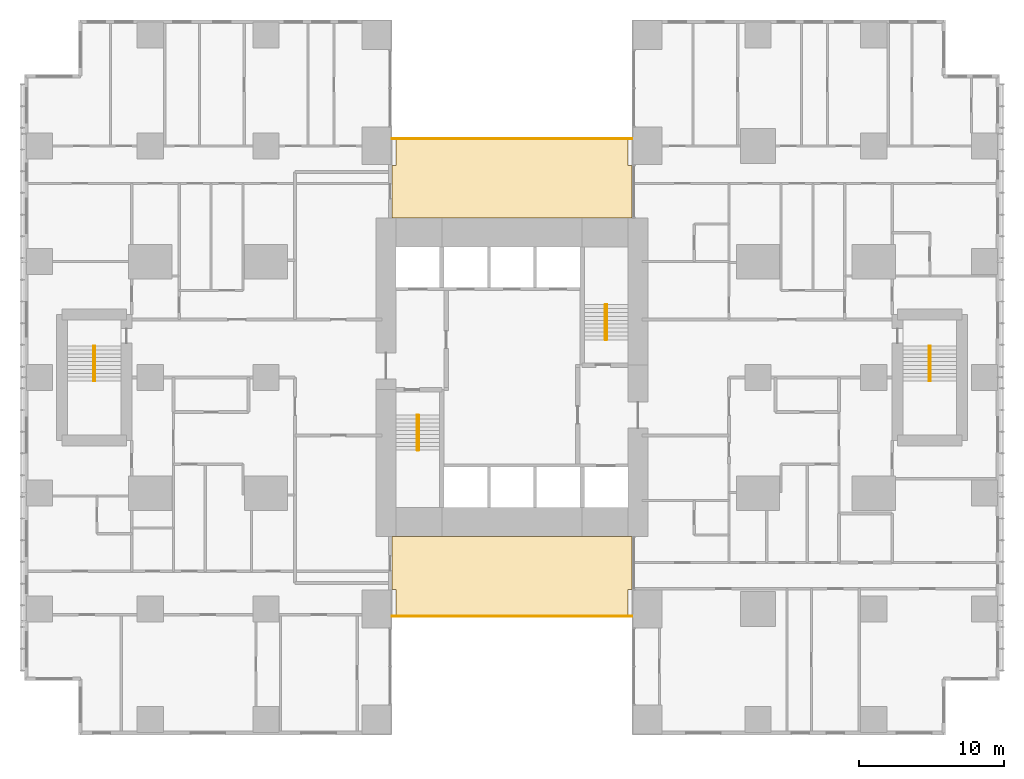
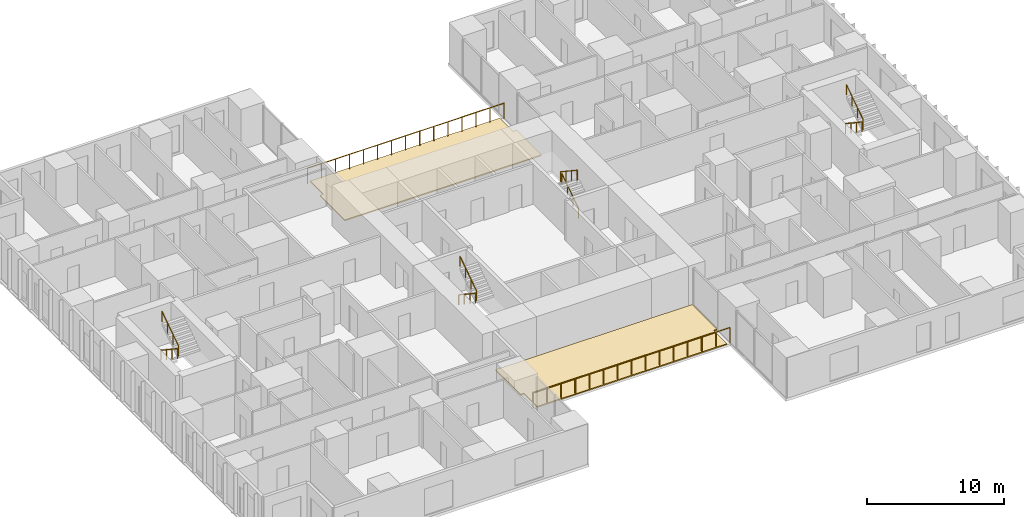
# One storey, part 20 of 20: 10 railings, 2 coverings.
"""IFC4 building model written with IfcOpenShell, lengths in metres."""

import ifcopenshell
import ifcopenshell.guid

model = None  # the IFC model being written
_history = None  # IfcOwnerHistory: only IFC2X3 demands one
_inside = {}  # id of a spatial element -> (the spatial element, [elements in it])
_under = {}  # id of a project, library or spatial element -> (it, [spatial elements below it])
_declared = {}  # id of a project -> (the project, [libraries it declares])
_typed = {}  # id of a type object -> (the type object, [elements of that type])
_made_of = {}  # id of a material, layer set ... -> (it, [elements and type objects made of it])


def new_model(schema):
    """Start an empty IFC model of exactly this schema.

    Asked for "IFC4X3", IfcOpenShell would pick the latest addendum, in which some entities
    have other attributes; the version numbers below select the first issue.
    IFC2X3 requires an IfcOwnerHistory on every rooted entity: one is made here for all.
    """
    global model, _history
    if schema == "IFC4X3":
        model = ifcopenshell.file(schema_version=(4, 3, 0, 0))
    else:
        model = ifcopenshell.file(schema=schema)
    _inside.clear()
    _under.clear()
    _declared.clear()
    _typed.clear()
    _made_of.clear()
    _history = None
    if model.schema == "IFC2X3":
        org = make("IfcOrganization", Name="unknown")
        user = make(
            "IfcPersonAndOrganization",
            ThePerson=make("IfcPerson", FamilyName="unknown"),
            TheOrganization=org,
        )
        app = make(
            "IfcApplication",
            ApplicationDeveloper=org,
            Version="unknown",
            ApplicationFullName="unknown",
            ApplicationIdentifier="unknown",
        )
        _history = make(
            "IfcOwnerHistory",
            OwningUser=user,
            OwningApplication=app,
            ChangeAction="ADDED",
            CreationDate=0,
        )
    return model


def make(cls, **values):
    """One entity of the class cls with the attributes given. An attribute that is None is left unset."""
    return model.create_entity(
        cls, **{name: value for name, value in values.items() if value is not None}
    )


def rooted(cls, **values):
    """An entity with a GlobalId (a new one), such as an element, a storey or a relation."""
    return make(cls, GlobalId=ifcopenshell.guid.new(), OwnerHistory=_history, **values)


def si_unit(unit_type, name, prefix=None):
    """IfcSIUnit, for example si_unit("LENGTHUNIT", "METRE", prefix="MILLI")."""
    return make("IfcSIUnit", UnitType=unit_type, Prefix=prefix, Name=name)


def assignment(units):
    """IfcUnitAssignment: the units of a project."""
    return None if units is None else make("IfcUnitAssignment", Units=units)


def point(xyz):
    """IfcCartesianPoint."""
    return None if xyz is None else make("IfcCartesianPoint", Coordinates=xyz)


def direction(xyz):
    """IfcDirection."""
    return None if xyz is None else make("IfcDirection", DirectionRatios=xyz)


def frame(location, z_axis=None, x_axis=None):
    """IfcAxis2Placement3D, a coordinate frame: its origin and axes. An axis left out is left unset."""
    return make(
        "IfcAxis2Placement3D",
        Location=point(location),
        Axis=direction(z_axis),
        RefDirection=direction(x_axis),
    )


def frame_2d(location, x_axis=None):
    """IfcAxis2Placement2D, a coordinate frame in the plane: its origin and x axis."""
    return make(
        "IfcAxis2Placement2D", Location=point(location), RefDirection=direction(x_axis)
    )


def origin():
    """The frame at (0, 0, 0) with its axes left unset."""
    return frame((0.0, 0.0, 0.0))


def origin_2d():
    """The frame at (0, 0) in the plane with its x axis left unset."""
    return frame_2d((0.0, 0.0))


def place(relative_to, where):
    """IfcLocalPlacement: puts the frame where relative to a parent placement (None: the world)."""
    return make(
        "IfcLocalPlacement", PlacementRelTo=relative_to, RelativePlacement=where
    )


def context(
    kind, dimensions, precision=None, world=None, true_north=None, identifier=None
):
    """IfcGeometricRepresentationContext, for example the 3D "Model" context."""
    return make(
        "IfcGeometricRepresentationContext",
        ContextIdentifier=identifier,
        ContextType=kind,
        CoordinateSpaceDimension=dimensions,
        Precision=precision,
        WorldCoordinateSystem=world,
        TrueNorth=true_north,
    )


def subcontext(parent, identifier, kind, view, scale=None):
    """IfcGeometricRepresentationSubContext, for example "Body" below "Model"."""
    return make(
        "IfcGeometricRepresentationSubContext",
        ContextIdentifier=identifier,
        ContextType=kind,
        ParentContext=parent,
        TargetScale=scale,
        TargetView=view,
    )


def project(units=None, contexts=None):
    """IfcProject with its units and contexts."""
    return rooted(
        "IfcProject",
        Name="project",
        RepresentationContexts=contexts,
        UnitsInContext=assignment(units),
    )


def spatial(cls, under=None, at=None, **own):
    """A site, building, storey or space (cls), placed at a placement, below another one or the project."""
    s = rooted(cls, ObjectPlacement=at, **own)
    if under is not None:
        _under.setdefault(under.id(), (under, []))[1].append(s)
    return s


def polyline(points):
    """IfcPolyline through the points."""
    return make("IfcPolyline", Points=[point(p) for p in points])


def profile(cls, at=None, kind="AREA", **sizes):
    """A parametric profile (cls). Its sizes go by their IFC names, for example OverallWidth=200.0."""
    return make(cls, ProfileType=kind, Position=at, **sizes)


def circle(**sizes):
    """IfcCircleProfileDef."""
    return profile("IfcCircleProfileDef", **sizes)


def outline(outer, holes=None, kind="AREA"):
    """IfcArbitraryClosedProfileDef: a profile drawn as a closed curve; with holes, ...WithVoids."""
    if holes is None:
        return make("IfcArbitraryClosedProfileDef", ProfileType=kind, OuterCurve=outer)
    return make(
        "IfcArbitraryProfileDefWithVoids",
        ProfileType=kind,
        OuterCurve=outer,
        InnerCurves=holes,
    )


def extrude(swept, where, along, depth):
    """IfcExtrudedAreaSolid: the profile swept, set in the frame where, extruded along a direction by depth."""
    return make(
        "IfcExtrudedAreaSolid",
        SweptArea=swept,
        Position=where,
        ExtrudedDirection=direction(along),
        Depth=depth,
    )


def shape(context_of_items, identifier, shape_type, items):
    """IfcShapeRepresentation: the items that make up one representation, for example the "Body"."""
    return make(
        "IfcShapeRepresentation",
        ContextOfItems=context_of_items,
        RepresentationIdentifier=identifier,
        RepresentationType=shape_type,
        Items=items,
    )


def material(Name=None, Category=None):
    """IfcMaterial."""
    return make("IfcMaterial", Name=Name, Category=Category)


def layer(
    of_material, thickness, ventilated=None, Name=None, Category=None, Priority=None
):
    """IfcMaterialLayer: one layer of a wall or slab, of a material (None: an air gap)."""
    return make(
        "IfcMaterialLayer",
        Material=of_material,
        LayerThickness=thickness,
        IsVentilated=ventilated,
        Name=Name,
        Category=Category,
        Priority=Priority,
    )


def layer_set(layers, Name=None):
    """IfcMaterialLayerSet."""
    return make("IfcMaterialLayerSet", MaterialLayers=layers, LayerSetName=Name)


def made_of(thing, what):
    """Note that an element or type object is made of a material, layer set ...; save() writes the relation."""
    if what is not None:
        _made_of.setdefault(what.id(), (what, []))[1].append(thing)
    return thing


def type_object(cls, material=None, **own):
    """A type object (cls), such as IfcWallType, which elements share."""
    return made_of(rooted(cls, **own), material)


def element(
    cls,
    number,
    at=None,
    inside=None,
    cuts=None,
    type_object=None,
    material=None,
    context=None,
    identifier="Body",
    shape_type=None,
    held_by="IfcProductDefinitionShape",
    body=None,
    shapes=None,
    **own,
):
    """One element of the class cls, such as IfcWall. Its Tag is "e" and its number.

    at: its placement. inside: the storey or other place that contains it. cuts: it is an
    opening in that element (IfcRelVoidsElement). A single representation is given by context,
    identifier, shape_type and body (its items); several are given by shapes. held_by: the class
    of the entity that holds the representations. save() writes the other relations.
    """
    e = rooted(cls, Tag="e%d" % number, ObjectPlacement=at, **own)
    if body is not None:
        shapes = [shape(context, identifier, shape_type, body)]
    if shapes is not None:
        e.Representation = make(held_by, Representations=shapes)
    if inside is not None:
        _inside.setdefault(inside.id(), (inside, []))[1].append(e)
    if cuts is not None:
        rooted(
            "IfcRelVoidsElement", RelatingBuildingElement=cuts, RelatedOpeningElement=e
        )
    if type_object is not None:
        _typed.setdefault(type_object.id(), (type_object, []))[1].append(e)
    return made_of(e, material)


def aggregate(whole, parts):
    """IfcRelAggregates: a whole, such as a stair, and the parts it consists of."""
    return rooted("IfcRelAggregates", RelatingObject=whole, RelatedObjects=parts)


def save(model, path):
    """Write the relations noted so far, then the file.

    IfcRelAggregates (storeys below a building ...), IfcRelContainedInSpatialStructure (elements
    in a storey), IfcRelDefinesByType, IfcRelAssociatesMaterial and IfcRelDeclares: one each for
    every whole, place, type object, material and project.
    """
    for whole, parts in _under.values():
        aggregate(whole, parts)
    for where, things in _inside.values():
        rooted(
            "IfcRelContainedInSpatialStructure",
            RelatedElements=things,
            RelatingStructure=where,
        )
    for kind, things in _typed.values():
        rooted("IfcRelDefinesByType", RelatedObjects=things, RelatingType=kind)
    for what, things in _made_of.values():
        rooted("IfcRelAssociatesMaterial", RelatedObjects=things, RelatingMaterial=what)
    for by, libraries in _declared.values():
        rooted("IfcRelDeclares", RelatingContext=by, RelatedDefinitions=libraries)
    model.write(path)


model = new_model("IFC4")

# Units and contexts
model_context = context("Model", 3, precision=1e-05, world=origin(), true_north=direction((0.0, 1.0)))
body_context = subcontext(model_context, "Body", "Model", "MODEL_VIEW")
ifc_project = project(units=[si_unit("LENGTHUNIT", "METRE"), si_unit("AREAUNIT", "SQUARE_METRE"), si_unit("VOLUMEUNIT", "CUBIC_METRE"), si_unit("PLANEANGLEUNIT", "RADIAN"), si_unit("MASSUNIT", "GRAM", prefix="KILO")], contexts=[model_context])

# Site, building, storey
site_placement = place(None, origin())
site = spatial("IfcSite", under=ifc_project, at=site_placement, CompositionType="ELEMENT")
building_placement = place(site_placement, origin())
building = spatial("IfcBuilding", under=site, at=building_placement, Name="Cleftline Residences", CompositionType="ELEMENT")
storey_placement = place(building_placement, frame((0.0, 0.0, 182.199951171875)))
storey = spatial("IfcBuildingStorey", under=building, at=storey_placement, Name="L47", CompositionType="ELEMENT", Elevation=182.199951171875)

# Coverings
ifc_material_1 = material(Name="Bituminous membrane on rigid insulation")
ifc_layer = layer(ifc_material_1, 0.10009765625)
ifc_layer_set = layer_set([ifc_layer], Name="BRIDGE ROOF MEMBRANE AND INSULATION 100")
covering_type = type_object("IfcCoveringType", Name="BRIDGE ROOF MEMBRANE AND INSULATION 100", PredefinedType="ROOFING", material=ifc_layer_set)
covering_1_placement = place(storey_placement, origin())
element("IfcCovering", 1, at=covering_1_placement, inside=storey, type_object=covering_type, Name="Sky bridge roof membrane L46 N", PredefinedType="ROOFING", context=body_context, shape_type="SweptSolid", body=[
    extrude(outline(polyline([(25.0, 40.60009765625), (25.0, 38.64990234375), (24.705078125, 38.64990234375), (24.705078125, 35.0048828125), (24.9951171875, 35.0048828125), (25.0048828125, 35.0048828125), (28.14501953125, 35.0048828125), (28.155029296875, 35.0048828125), (37.844970703125, 35.0048828125), (37.85498046875, 35.0048828125), (40.9951171875, 35.0048828125), (41.0048828125, 35.0048828125), (41.300048828125, 35.0048828125), (41.300048828125, 38.64990234375), (41.0, 38.64990234375), (41.0, 40.60009765625), (25.0, 40.60009765625)])), origin(), (0.0, 0.0, 1.0), 0.10009765625),
])
covering_2_placement = place(storey_placement, origin())
element("IfcCovering", 2, at=covering_2_placement, inside=storey, type_object=covering_type, Name="Sky bridge roof membrane L46 S", PredefinedType="ROOFING", context=body_context, shape_type="SweptSolid", body=[
    extrude(outline(polyline([(41.0, 7.39990234375), (41.0, 9.35009765625), (41.300048828125, 9.35009765625), (41.300048828125, 12.9951171875), (41.0048828125, 12.9951171875), (40.9951171875, 12.9951171875), (37.85498046875, 12.9951171875), (37.844970703125, 12.9951171875), (28.155029296875, 12.9951171875), (28.14501953125, 12.9951171875), (25.0048828125, 12.9951171875), (24.9951171875, 12.9951171875), (24.705078125, 12.9951171875), (24.705078125, 9.35009765625), (25.0, 9.35009765625), (25.0, 7.39990234375), (41.0, 7.39990234375)])), origin(), (0.0, 0.0, 1.0), 0.10009765625),
])

# Railings
ifc_material_2 = material(Name="Stainless steel", Category="steel")
railing_type_1 = type_object("IfcRailingType", Name="HANDRAIL 900", PredefinedType="HANDRAIL", material=ifc_material_2)
railing_1_placement = place(storey_placement, frame((26.449951171875, 21.39990234375, 0.179931640625)))
element("IfcRailing", 3, at=railing_1_placement, inside=storey, type_object=railing_type_1, Name="Stair handrail", PredefinedType="HANDRAIL", context=body_context, shape_type="SweptSolid", body=[
    extrude(circle(Radius=0.02392578125, at=origin_2d()), frame((0.0, 0.0, 0.8759765625), z_axis=(0.0, -0.832024571796, 0.554738778101), x_axis=(1.0, 0.0, 0.0)), (0.0, 0.0, 1.0), 2.92041015625),
    extrude(circle(Radius=0.02099609375, at=origin_2d()), origin(), (0.0, 0.0, 1.0), 0.851806640625),
    extrude(circle(Radius=0.02099609375, at=origin_2d()), frame((0.0, -0.81005859375, 0.5400390625)), (0.0, 0.0, 1.0), 0.851806640625),
    extrude(circle(Radius=0.02099609375, at=origin_2d()), frame((0.0, -1.619873046875, 1.080078125)), (0.0, 0.0, 1.0), 0.851806640625),
    extrude(circle(Radius=0.02099609375, at=origin_2d()), frame((0.0, -2.429931640625, 1.6201171875)), (0.0, 0.0, 1.0), 0.851806640625),
])
for number, where, name in (
    (4, (26.550048828125, 18.969970703125, 1.97998046875), "Stair handrail"),
    (5, (39.550048828125, 26.60009765625, 0.179931640625), "Stair handrail"),
):
    element("IfcRailing", number, at=place(storey_placement, frame(where)), inside=storey, type_object=railing_type_1, Name=name, PredefinedType="HANDRAIL", context=body_context, shape_type="SweptSolid", body=[
        extrude(circle(Radius=0.02392578125, at=origin_2d()), frame((0.0, 0.0, 0.8759765625), z_axis=(0.0, 0.832024571796, 0.554738778101), x_axis=(-1.0, 0.0, 0.0)), (0.0, 0.0, 1.0), 2.92041015625),
        extrude(circle(Radius=0.02099609375, at=origin_2d()), origin(), (0.0, 0.0, 1.0), 0.851806640625),
        extrude(circle(Radius=0.02099609375, at=origin_2d()), frame((0.0, 0.81005859375, 0.5400390625)), (0.0, 0.0, 1.0), 0.851806640625),
        extrude(circle(Radius=0.02099609375, at=origin_2d()), frame((0.0, 1.619873046875, 1.080078125)), (0.0, 0.0, 1.0), 0.851806640625),
        extrude(circle(Radius=0.02099609375, at=origin_2d()), frame((0.0, 2.429931640625, 1.6201171875)), (0.0, 0.0, 1.0), 0.851806640625),
    ])
for number, where, name in (
    (6, (39.449951171875, 29.030029296875, 1.97998046875), "Stair handrail"),
    (7, (61.824951171875, 26.175048828125, 0.179931640625), "Stair handrail"),
):
    element("IfcRailing", number, at=place(storey_placement, frame(where)), inside=storey, type_object=railing_type_1, Name=name, PredefinedType="HANDRAIL", context=body_context, shape_type="SweptSolid", body=[
        extrude(circle(Radius=0.02392578125, at=origin_2d()), frame((0.0, 0.0, 0.8759765625), z_axis=(0.0, -0.832024571796, 0.554738778101), x_axis=(1.0, 0.0, 0.0)), (0.0, 0.0, 1.0), 2.92041015625),
        extrude(circle(Radius=0.02099609375, at=origin_2d()), origin(), (0.0, 0.0, 1.0), 0.851806640625),
        extrude(circle(Radius=0.02099609375, at=origin_2d()), frame((0.0, -0.81005859375, 0.5400390625)), (0.0, 0.0, 1.0), 0.851806640625),
        extrude(circle(Radius=0.02099609375, at=origin_2d()), frame((0.0, -1.619873046875, 1.080078125)), (0.0, 0.0, 1.0), 0.851806640625),
        extrude(circle(Radius=0.02099609375, at=origin_2d()), frame((0.0, -2.429931640625, 1.6201171875)), (0.0, 0.0, 1.0), 0.851806640625),
    ])
railing_2_placement = place(storey_placement, frame((61.925048828125, 23.7451171875, 1.97998046875)))
element("IfcRailing", 8, at=railing_2_placement, inside=storey, type_object=railing_type_1, Name="Stair handrail", PredefinedType="HANDRAIL", context=body_context, shape_type="SweptSolid", body=[
    extrude(circle(Radius=0.02392578125, at=origin_2d()), frame((0.0, 0.0, 0.8759765625), z_axis=(0.0, 0.832024571796, 0.554738778101), x_axis=(-1.0, 0.0, 0.0)), (0.0, 0.0, 1.0), 2.92041015625),
    extrude(circle(Radius=0.02099609375, at=origin_2d()), origin(), (0.0, 0.0, 1.0), 0.851806640625),
    extrude(circle(Radius=0.02099609375, at=origin_2d()), frame((0.0, 0.81005859375, 0.5400390625)), (0.0, 0.0, 1.0), 0.851806640625),
    extrude(circle(Radius=0.02099609375, at=origin_2d()), frame((0.0, 1.619873046875, 1.080078125)), (0.0, 0.0, 1.0), 0.851806640625),
    extrude(circle(Radius=0.02099609375, at=origin_2d()), frame((0.0, 2.429931640625, 1.6201171875)), (0.0, 0.0, 1.0), 0.851806640625),
])
railing_3_placement = place(storey_placement, frame((4.074951171875, 26.175048828125, 0.179931640625)))
element("IfcRailing", 9, at=railing_3_placement, inside=storey, type_object=railing_type_1, Name="Stair handrail", PredefinedType="HANDRAIL", context=body_context, shape_type="SweptSolid", body=[
    extrude(circle(Radius=0.02392578125, at=origin_2d()), frame((0.0, 0.0, 0.8759765625), z_axis=(0.0, -0.832024571796, 0.554738778101), x_axis=(1.0, 0.0, 0.0)), (0.0, 0.0, 1.0), 2.92041015625),
    extrude(circle(Radius=0.02099609375, at=origin_2d()), origin(), (0.0, 0.0, 1.0), 0.851806640625),
    extrude(circle(Radius=0.02099609375, at=origin_2d()), frame((0.0, -0.81005859375, 0.5400390625)), (0.0, 0.0, 1.0), 0.851806640625),
    extrude(circle(Radius=0.02099609375, at=origin_2d()), frame((0.0, -1.619873046875, 1.080078125)), (0.0, 0.0, 1.0), 0.851806640625),
    extrude(circle(Radius=0.02099609375, at=origin_2d()), frame((0.0, -2.429931640625, 1.6201171875)), (0.0, 0.0, 1.0), 0.851806640625),
])
railing_4_placement = place(storey_placement, frame((4.175048828125, 23.7451171875, 1.97998046875)))
element("IfcRailing", 10, at=railing_4_placement, inside=storey, type_object=railing_type_1, Name="Stair handrail", PredefinedType="HANDRAIL", context=body_context, shape_type="SweptSolid", body=[
    extrude(circle(Radius=0.02392578125, at=origin_2d()), frame((0.0, 0.0, 0.8759765625), z_axis=(0.0, 0.832024571796, 0.554738778101), x_axis=(-1.0, 0.0, 0.0)), (0.0, 0.0, 1.0), 2.92041015625),
    extrude(circle(Radius=0.02099609375, at=origin_2d()), origin(), (0.0, 0.0, 1.0), 0.851806640625),
    extrude(circle(Radius=0.02099609375, at=origin_2d()), frame((0.0, 0.81005859375, 0.5400390625)), (0.0, 0.0, 1.0), 0.851806640625),
    extrude(circle(Radius=0.02099609375, at=origin_2d()), frame((0.0, 1.619873046875, 1.080078125)), (0.0, 0.0, 1.0), 0.851806640625),
    extrude(circle(Radius=0.02099609375, at=origin_2d()), frame((0.0, 2.429931640625, 1.6201171875)), (0.0, 0.0, 1.0), 0.851806640625),
])
ifc_material_3 = material(Name="Galvanised steel", Category="steel")
railing_type_2 = type_object("IfcRailingType", Name="ROOF EDGE GUARD 1400", PredefinedType="GUARDRAIL", material=ifc_material_3)
railing_5_placement = place(storey_placement, frame((24.699951171875, 40.5, 0.0)))
element("IfcRailing", 11, at=railing_5_placement, inside=storey, type_object=railing_type_2, Name="Roof edge guard", PredefinedType="GUARDRAIL", context=body_context, shape_type="SweptSolid", body=[
    extrude(circle(Radius=0.02392578125, at=origin_2d()), frame((0.0, 0.0, 1.3759765625), z_axis=(1.0, 0.0, 0.0), x_axis=(0.0, 1.0, 0.0)), (0.0, 0.0, 1.0), 16.60009765625),
    extrude(circle(Radius=0.02099609375, at=origin_2d()), origin(), (0.0, 0.0, 1.0), 1.351806640625),
    extrude(circle(Radius=0.02099609375, at=origin_2d()), frame((1.185791015625, 0.0, 0.0)), (0.0, 0.0, 1.0), 1.351806640625),
    extrude(circle(Radius=0.02099609375, at=origin_2d()), frame((2.371337890625, 0.0, 0.0)), (0.0, 0.0, 1.0), 1.351806640625),
    extrude(circle(Radius=0.02099609375, at=origin_2d()), frame((3.55712890625, 0.0, 0.0)), (0.0, 0.0, 1.0), 1.351806640625),
    extrude(circle(Radius=0.02099609375, at=origin_2d()), frame((4.742919921875, 0.0, 0.0)), (0.0, 0.0, 1.0), 1.351806640625),
    extrude(circle(Radius=0.02099609375, at=origin_2d()), frame((5.9287109375, 0.0, 0.0)), (0.0, 0.0, 1.0), 1.351806640625),
    extrude(circle(Radius=0.02099609375, at=origin_2d()), frame((7.1142578125, 0.0, 0.0)), (0.0, 0.0, 1.0), 1.351806640625),
    extrude(circle(Radius=0.02099609375, at=origin_2d()), frame((8.300048828125, 0.0, 0.0)), (0.0, 0.0, 1.0), 1.351806640625),
    extrude(circle(Radius=0.02099609375, at=origin_2d()), frame((9.48583984375, 0.0, 0.0)), (0.0, 0.0, 1.0), 1.351806640625),
    extrude(circle(Radius=0.02099609375, at=origin_2d()), frame((10.67138671875, 0.0, 0.0)), (0.0, 0.0, 1.0), 1.351806640625),
    extrude(circle(Radius=0.02099609375, at=origin_2d()), frame((11.857177734375, 0.0, 0.0)), (0.0, 0.0, 1.0), 1.351806640625),
    extrude(circle(Radius=0.02099609375, at=origin_2d()), frame((13.04296875, 0.0, 0.0)), (0.0, 0.0, 1.0), 1.351806640625),
    extrude(circle(Radius=0.02099609375, at=origin_2d()), frame((14.228759765625, 0.0, 0.0)), (0.0, 0.0, 1.0), 1.351806640625),
    extrude(circle(Radius=0.02099609375, at=origin_2d()), frame((15.414306640625, 0.0, 0.0)), (0.0, 0.0, 1.0), 1.351806640625),
    extrude(circle(Radius=0.02099609375, at=origin_2d()), frame((16.60009765625, 0.0, 0.0)), (0.0, 0.0, 1.0), 1.351806640625),
])
railing_6_placement = place(storey_placement, frame((24.699951171875, 7.5, 0.0)))
element("IfcRailing", 12, at=railing_6_placement, inside=storey, type_object=railing_type_2, Name="Roof edge guard", PredefinedType="GUARDRAIL", context=body_context, shape_type="SweptSolid", body=[
    extrude(circle(Radius=0.02392578125, at=origin_2d()), frame((0.0, 0.0, 1.3759765625), z_axis=(1.0, 0.0, 0.0), x_axis=(0.0, 1.0, 0.0)), (0.0, 0.0, 1.0), 16.60009765625),
    extrude(circle(Radius=0.02099609375, at=origin_2d()), origin(), (0.0, 0.0, 1.0), 1.351806640625),
    extrude(circle(Radius=0.02099609375, at=origin_2d()), frame((1.185791015625, 0.0, 0.0)), (0.0, 0.0, 1.0), 1.351806640625),
    extrude(circle(Radius=0.02099609375, at=origin_2d()), frame((2.371337890625, 0.0, 0.0)), (0.0, 0.0, 1.0), 1.351806640625),
    extrude(circle(Radius=0.02099609375, at=origin_2d()), frame((3.55712890625, 0.0, 0.0)), (0.0, 0.0, 1.0), 1.351806640625),
    extrude(circle(Radius=0.02099609375, at=origin_2d()), frame((4.742919921875, 0.0, 0.0)), (0.0, 0.0, 1.0), 1.351806640625),
    extrude(circle(Radius=0.02099609375, at=origin_2d()), frame((5.9287109375, 0.0, 0.0)), (0.0, 0.0, 1.0), 1.351806640625),
    extrude(circle(Radius=0.02099609375, at=origin_2d()), frame((7.1142578125, 0.0, 0.0)), (0.0, 0.0, 1.0), 1.351806640625),
    extrude(circle(Radius=0.02099609375, at=origin_2d()), frame((8.300048828125, 0.0, 0.0)), (0.0, 0.0, 1.0), 1.351806640625),
    extrude(circle(Radius=0.02099609375, at=origin_2d()), frame((9.48583984375, 0.0, 0.0)), (0.0, 0.0, 1.0), 1.351806640625),
    extrude(circle(Radius=0.02099609375, at=origin_2d()), frame((10.67138671875, 0.0, 0.0)), (0.0, 0.0, 1.0), 1.351806640625),
    extrude(circle(Radius=0.02099609375, at=origin_2d()), frame((11.857177734375, 0.0, 0.0)), (0.0, 0.0, 1.0), 1.351806640625),
    extrude(circle(Radius=0.02099609375, at=origin_2d()), frame((13.04296875, 0.0, 0.0)), (0.0, 0.0, 1.0), 1.351806640625),
    extrude(circle(Radius=0.02099609375, at=origin_2d()), frame((14.228759765625, 0.0, 0.0)), (0.0, 0.0, 1.0), 1.351806640625),
    extrude(circle(Radius=0.02099609375, at=origin_2d()), frame((15.414306640625, 0.0, 0.0)), (0.0, 0.0, 1.0), 1.351806640625),
    extrude(circle(Radius=0.02099609375, at=origin_2d()), frame((16.60009765625, 0.0, 0.0)), (0.0, 0.0, 1.0), 1.351806640625),
])

save(model, "model.ifc")
